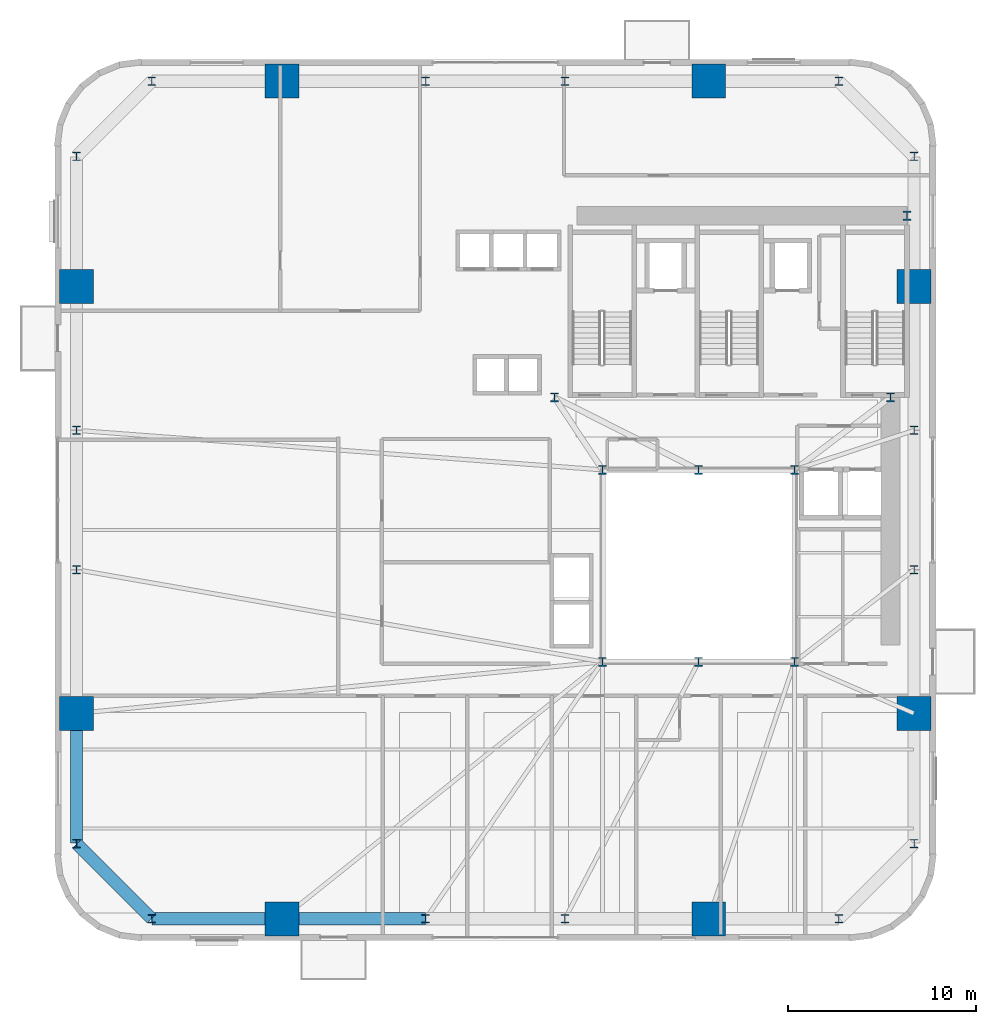
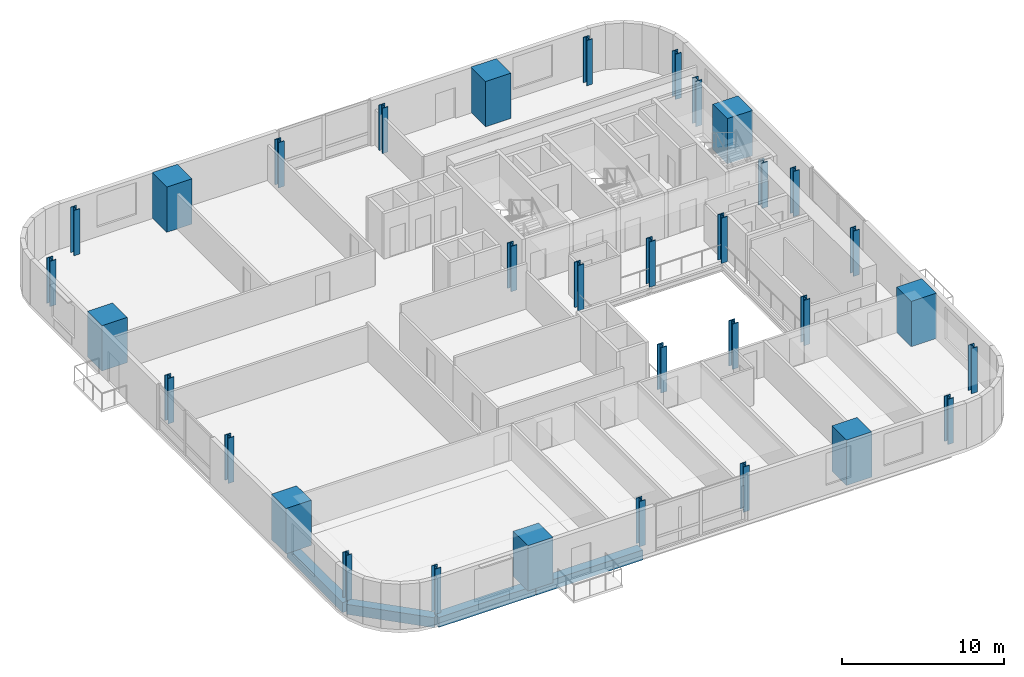
# One storey, part 1 of 13: 33 columns, 4 beams.
"""IFC4 building model written with IfcOpenShell, lengths in metres."""

from ifc_helpers import new_model, si_unit, direction, frame, origin, origin_2d, place, context, subcontext, project, spatial, rectangle, i_section, extrude, source, transform, mapped, material, material_profile, profile_set, type_object, element, save


model = new_model("IFC4")

# Units and contexts
model_context = context("Model", 3, precision=1e-05, world=origin(), true_north=direction((0.0, 1.0)))
body_context = subcontext(model_context, "Body", "Model", "MODEL_VIEW")
ifc_project = project(units=[si_unit("LENGTHUNIT", "METRE"), si_unit("AREAUNIT", "SQUARE_METRE"), si_unit("VOLUMEUNIT", "CUBIC_METRE"), si_unit("PLANEANGLEUNIT", "RADIAN"), si_unit("MASSUNIT", "GRAM", prefix="KILO")], contexts=[model_context])

# Site, building, storey
site_placement = place(None, origin())
site = spatial("IfcSite", under=ifc_project, at=site_placement, CompositionType="ELEMENT")
building_placement = place(site_placement, origin())
building = spatial("IfcBuilding", under=site, at=building_placement, Name="Vardaveli Station Tower", CompositionType="ELEMENT")
storey_placement = place(building_placement, frame((0.0, 0.0, 86.0)))
storey = spatial("IfcBuildingStorey", under=building, at=storey_placement, Name="L22", CompositionType="ELEMENT", Elevation=86.0)

# Columns
ifc_material_1 = material(Name="Structural steel S460M", Category="steel")
ifc_material_profile_1 = material_profile(ifc_material_1, i_section(OverallWidth=0.427978515625, OverallDepth=0.48095703125, WebThickness=0.03955078125, FlangeThickness=0.0634765625, FilletRadius=0.014892578125, at=origin_2d()), Name="HD 400x677")
ifc_profile_set_1 = profile_set([ifc_material_profile_1], Name="Structural steel S460M")
column_type_1 = type_object("IfcColumnType", Name="COL-HD677", PredefinedType="COLUMN", material=ifc_profile_set_1)
shared_shape_1 = source(origin(), body_context, "Body", "SweptSolid", [
    extrude(i_section(OverallWidth=0.427978515625, OverallDepth=0.48095703125, WebThickness=0.03955078125, FlangeThickness=0.0634765625, FilletRadius=0.014892578125, at=origin_2d()), origin(), (0.0, 0.0, 1.0), 3.409912109375),
])
for number, where, z_axis, x_axis, name in (
    (1, (31.199951171875, 16.60009765625, 0.0), (0.0, 0.0, 1.0), (1.0, 0.0, 0.0), "COL-L22-AC1"),
    (2, (36.300048828125, 16.60009765625, 0.0), (0.0, 0.0, 1.0), (1.0, 0.0, 0.0), "COL-L22-AC2"),
    (3, (41.39990234375, 16.60009765625, 0.0), (0.0, 0.0, 1.0), (1.0, 0.0, 0.0), "COL-L22-AC3"),
    (4, (41.39990234375, 26.800048828125, 0.0), (0.0, 0.0, 1.0), (1.0, 0.0, 0.0), "COL-L22-AC4"),
    (5, (36.300048828125, 26.800048828125, 0.0), (0.0, 0.0, 1.0), (1.0, 0.0, 0.0), "COL-L22-AC5"),
    (6, (31.199951171875, 26.800048828125, 0.0), (0.0, 0.0, 1.0), (1.0, 0.0, 0.0), "COL-L22-AC6"),
    (7, (28.64990234375, 30.64990234375, 0.0), (0.0, 0.0, 1.0), (1.0, 0.0, 0.0), "COL-L22-CC1"),
    (8, (46.5, 30.64990234375, 0.0), (0.0, 0.0, 1.0), (1.0, 0.0, 0.0), "COL-L22-CC2"),
    (9, (47.3701171875, 40.300048828125, 0.0), (0.0, 0.0, 1.0), (1.0, 0.0, 0.0), "COL-L22-CC3"),
):
    element("IfcColumn", number, at=place(storey_placement, frame(where, z_axis=z_axis, x_axis=x_axis)), inside=storey, type_object=column_type_1, Name=name, PredefinedType="COLUMN", context=body_context, shape_type="MappedRepresentation", body=[
        mapped(shared_shape_1, transform((0.0, 0.0, 0.0), scale=1.0)),
    ])
ifc_material_2 = material(Name="Concrete C70/85", Category="concrete")
ifc_material_profile_2 = material_profile(ifc_material_2, rectangle(XDim=1.800048828125, YDim=1.800048828125, at=origin_2d()), Name="MC 1800x1800")
ifc_profile_set_2 = profile_set([ifc_material_profile_2], Name="Concrete C70/85")
column_type_2 = type_object("IfcColumnType", Name="COL-MC-1800", PredefinedType="COLUMN", material=ifc_profile_set_2)
shared_shape_2 = source(origin(), body_context, "Body", "SweptSolid", [
    extrude(rectangle(XDim=1.800048828125, YDim=1.800048828125, at=origin_2d()), origin(), (0.0, 0.0, 1.0), 3.409912109375),
])
for number, where, z_axis, x_axis, name in (
    (10, (14.159912109375, 2.949951171875, 0.0), (0.0, 0.0, 1.0), (1.0, 0.0, 0.0), "COL-L22-MC1"),
    (11, (36.840087890625, 2.949951171875, 0.0), (0.0, 0.0, 1.0), (1.0, 0.0, 0.0), "COL-L22-MC2"),
    (12, (47.75, 13.860107421875, 0.0), (0.0, 0.0, 1.0), (1.0, 0.0, 0.0), "COL-L22-MC3"),
    (13, (47.75, 36.5400390625, 0.0), (0.0, 0.0, 1.0), (1.0, 0.0, 0.0), "COL-L22-MC4"),
    (14, (36.840087890625, 47.449951171875, 0.0), (0.0, 0.0, 1.0), (1.0, 0.0, 0.0), "COL-L22-MC5"),
    (15, (14.159912109375, 47.449951171875, 0.0), (0.0, 0.0, 1.0), (1.0, 0.0, 0.0), "COL-L22-MC6"),
    (16, (3.25, 36.5400390625, 0.0), (0.0, 0.0, 1.0), (1.0, 0.0, 0.0), "COL-L22-MC7"),
    (17, (3.25, 13.860107421875, 0.0), (0.0, 0.0, 1.0), (1.0, 0.0, 0.0), "COL-L22-MC8"),
):
    element("IfcColumn", number, at=place(storey_placement, frame(where, z_axis=z_axis, x_axis=x_axis)), inside=storey, type_object=column_type_2, Name=name, PredefinedType="COLUMN", context=body_context, shape_type="MappedRepresentation", body=[
        mapped(shared_shape_2, transform((0.0, 0.0, 0.0), scale=1.0)),
    ])
ifc_material_profile_3 = material_profile(ifc_material_1, i_section(OverallWidth=0.4189453125, OverallDepth=0.448974609375, WebThickness=0.030517578125, FlangeThickness=0.04833984375, FilletRadius=0.014892578125, at=origin_2d()), Name="HD 400x509")
ifc_profile_set_3 = profile_set([ifc_material_profile_3], Name="Structural steel S460M")
column_type_3 = type_object("IfcColumnType", Name="COL-HD509", PredefinedType="COLUMN", material=ifc_profile_set_3)
shared_shape_3 = source(origin(), body_context, "Body", "SweptSolid", [
    extrude(i_section(OverallWidth=0.4189453125, OverallDepth=0.448974609375, WebThickness=0.030517578125, FlangeThickness=0.04833984375, FilletRadius=0.014892578125, at=origin_2d()), origin(), (0.0, 0.0, 1.0), 3.409912109375),
])
for number, where, z_axis, x_axis, name in (
    (18, (7.25, 2.949951171875, 0.0), (0.0, 0.0, 1.0), (1.0, 0.0, 0.0), "COL-L22-PC01"),
    (19, (21.800048828125, 2.949951171875, 0.0), (0.0, 0.0, 1.0), (1.0, 0.0, 0.0), "COL-L22-PC02"),
    (20, (29.199951171875, 2.949951171875, 0.0), (0.0, 0.0, 1.0), (1.0, 0.0, 0.0), "COL-L22-PC03"),
    (21, (43.75, 2.949951171875, 0.0), (0.0, 0.0, 1.0), (1.0, 0.0, 0.0), "COL-L22-PC04"),
    (22, (47.75, 6.949951171875, 0.0), (0.0, 0.0, 1.0), (1.0, 0.0, 0.0), "COL-L22-PC05"),
    (23, (47.75, 21.5, 0.0), (0.0, 0.0, 1.0), (1.0, 0.0, 0.0), "COL-L22-PC06"),
    (24, (47.75, 28.89990234375, 0.0), (0.0, 0.0, 1.0), (1.0, 0.0, 0.0), "COL-L22-PC07"),
    (25, (47.75, 43.449951171875, 0.0), (0.0, 0.0, 1.0), (1.0, 0.0, 0.0), "COL-L22-PC08"),
    (26, (43.75, 47.449951171875, 0.0), (0.0, 0.0, 1.0), (1.0, 0.0, 0.0), "COL-L22-PC09"),
    (27, (29.199951171875, 47.449951171875, 0.0), (0.0, 0.0, 1.0), (1.0, 0.0, 0.0), "COL-L22-PC10"),
    (28, (21.800048828125, 47.449951171875, 0.0), (0.0, 0.0, 1.0), (1.0, 0.0, 0.0), "COL-L22-PC11"),
    (29, (7.25, 47.449951171875, 0.0), (0.0, 0.0, 1.0), (1.0, 0.0, 0.0), "COL-L22-PC12"),
    (30, (3.25, 43.449951171875, 0.0), (0.0, 0.0, 1.0), (1.0, 0.0, 0.0), "COL-L22-PC13"),
    (31, (3.25, 28.89990234375, 0.0), (0.0, 0.0, 1.0), (1.0, 0.0, 0.0), "COL-L22-PC14"),
    (32, (3.25, 21.5, 0.0), (0.0, 0.0, 1.0), (1.0, 0.0, 0.0), "COL-L22-PC15"),
    (33, (3.25, 6.949951171875, 0.0), (0.0, 0.0, 1.0), (1.0, 0.0, 0.0), "COL-L22-PC16"),
):
    element("IfcColumn", number, at=place(storey_placement, frame(where, z_axis=z_axis, x_axis=x_axis)), inside=storey, type_object=column_type_3, Name=name, PredefinedType="COLUMN", context=body_context, shape_type="MappedRepresentation", body=[
        mapped(shared_shape_3, transform((0.0, 0.0, 0.0), scale=1.0)),
    ])

# Beams
ifc_material_3 = material(Name="Precast concrete C45/55", Category="concrete")
ifc_material_profile_4 = material_profile(ifc_material_3, rectangle(XDim=0.64990234375, YDim=0.75, at=origin_2d()), Name="LPB 650x750")
ifc_profile_set_4 = profile_set([ifc_material_profile_4], Name="Precast concrete C45/55")
beam_type = type_object("IfcBeamType", Name="BM-LPB-750", PredefinedType="BEAM", material=ifc_profile_set_4)
shared_shape_4 = source(origin(), body_context, "Body", "SweptSolid", [
    extrude(rectangle(XDim=0.64990234375, YDim=0.75, at=origin_2d()), origin(), (0.0, 0.0, 1.0), 7.60009765625),
])
beam_1_placement = place(storey_placement, frame((14.179931640625, 2.949951171875, -0.614990234375), z_axis=(1.0, 0.0, 0.0), x_axis=(0.0, 1.0, 0.0)))
element("IfcBeam", 34, at=beam_1_placement, inside=storey, type_object=beam_type, Name="RBM-L22-01", PredefinedType="BEAM", context=body_context, shape_type="MappedRepresentation", body=[
    mapped(shared_shape_4, transform((0.0, 0.0, 0.0), scale=1.0)),
])
shared_shape_5 = source(origin(), body_context, "Body", "SweptSolid", [
    extrude(rectangle(XDim=0.64990234375, YDim=0.75, at=origin_2d()), origin(), (0.0, 0.0, 1.0), 6.869873046875),
])
beam_2_placement = place(storey_placement, frame((7.27001953125, 2.949951171875, -0.614990234375), z_axis=(1.0, 0.0, 0.0), x_axis=(0.0, 1.0, 0.0)))
element("IfcBeam", 35, at=beam_2_placement, inside=storey, type_object=beam_type, Name="RBM-L22-24", PredefinedType="BEAM", context=body_context, shape_type="MappedRepresentation", body=[
    mapped(shared_shape_5, transform((0.0, 0.0, 0.0), scale=1.0)),
])
shared_shape_6 = source(origin(), body_context, "Body", "SweptSolid", [
    extrude(rectangle(XDim=0.64990234375, YDim=0.75, at=origin_2d()), origin(), (0.0, 0.0, 1.0), 5.61669921875),
])
beam_3_placement = place(storey_placement, frame((3.26416015625, 6.935791015625, -0.614990234375), z_axis=(0.707106781187, -0.707106781187, 0.0), x_axis=(0.707106781187, 0.707106781187, 0.0)))
element("IfcBeam", 36, at=beam_3_placement, inside=storey, type_object=beam_type, Name="RBM-L22-23", PredefinedType="BEAM", context=body_context, shape_type="MappedRepresentation", body=[
    mapped(shared_shape_6, transform((0.0, 0.0, 0.0), scale=1.0)),
])
shared_shape_7 = source(origin(), body_context, "Body", "SweptSolid", [
    extrude(rectangle(XDim=0.64990234375, YDim=0.75, at=origin_2d()), origin(), (0.0, 0.0, 1.0), 6.8701171875),
])
beam_4_placement = place(storey_placement, frame((3.25, 13.840087890625, -0.614990234375), z_axis=(0.0, -1.0, 0.0), x_axis=(1.0, 0.0, 0.0)))
element("IfcBeam", 37, at=beam_4_placement, inside=storey, type_object=beam_type, Name="RBM-L22-22", PredefinedType="BEAM", context=body_context, shape_type="MappedRepresentation", body=[
    mapped(shared_shape_7, transform((0.0, 0.0, 0.0), scale=1.0)),
])

save(model, "model.ifc")
